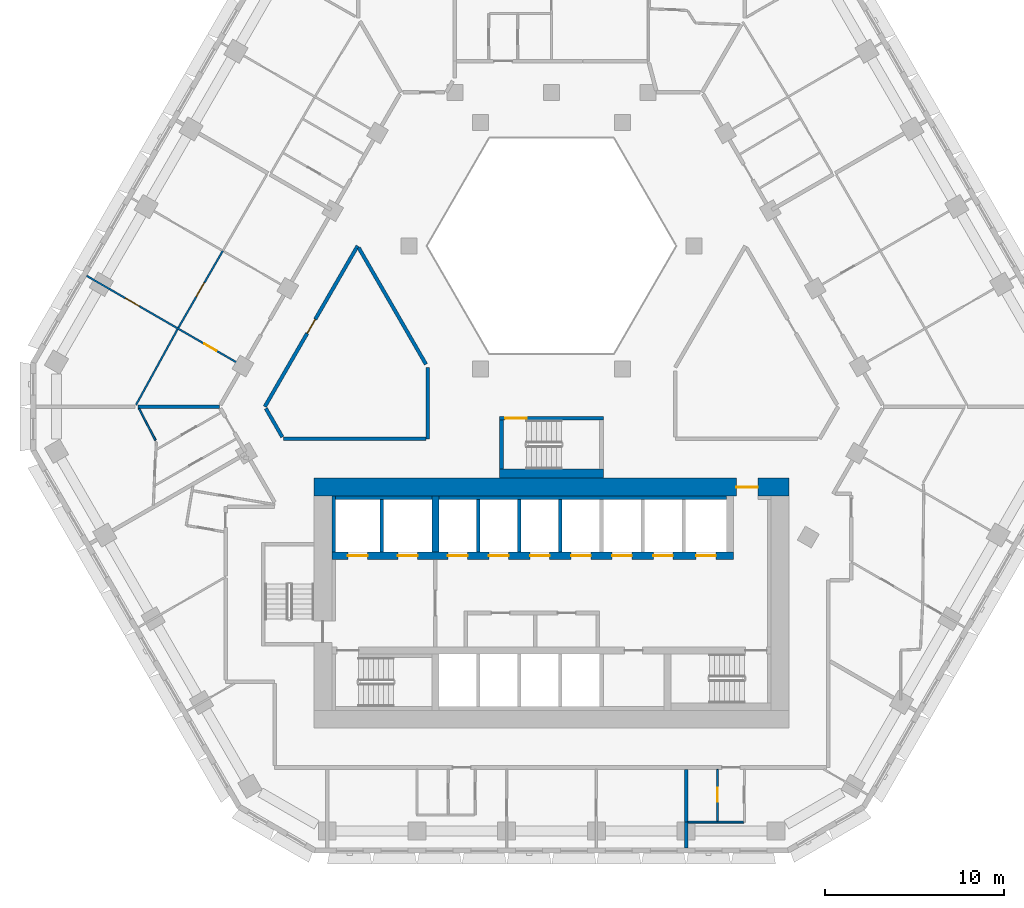
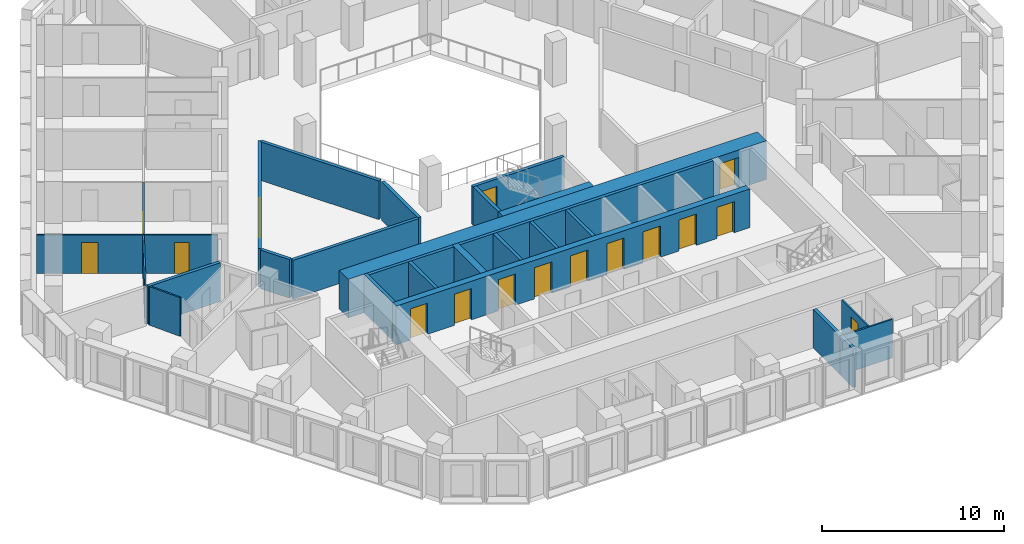
# One storey, part 5 of 18: 27 walls, 16 doors, 16 openings.
"""IFC4 building model written with IfcOpenShell, lengths in metres."""

from ifc_helpers import new_model, si_unit, direction, frame, frame_2d, origin, place, context, subcontext, project, spatial, rectangle, extrude, material, layer, layer_set, type_object, element, fill, save


model = new_model("IFC4")

# Units and contexts
model_context = context("Model", 3, precision=1e-05, world=origin(), true_north=direction((0.0, 1.0)))
body_context = subcontext(model_context, "Body", "Model", "MODEL_VIEW")
ifc_project = project(units=[si_unit("LENGTHUNIT", "METRE"), si_unit("AREAUNIT", "SQUARE_METRE"), si_unit("VOLUMEUNIT", "CUBIC_METRE"), si_unit("PLANEANGLEUNIT", "RADIAN"), si_unit("MASSUNIT", "GRAM", prefix="KILO")], contexts=[model_context])

# Site, building, storey
site_placement = place(None, origin())
site = spatial("IfcSite", under=ifc_project, at=site_placement, CompositionType="ELEMENT")
building_placement = place(site_placement, origin())
building = spatial("IfcBuilding", under=site, at=building_placement, Name="Beryl Residences", CompositionType="ELEMENT")
storey_placement = place(building_placement, frame((0.0, 0.0, 105.0)))
storey = spatial("IfcBuildingStorey", under=building, at=storey_placement, Name="L32", CompositionType="ELEMENT", Elevation=105.0)

# Wall
ifc_material_1 = material(Name="Gypsum board partition on steel studs", Category="steel")
ifc_layer_1 = layer(ifc_material_1, 0.10009765625)
ifc_layer_set_1 = layer_set([ifc_layer_1], Name="PT1 partition 100 mm gypsum board on steel studs")
wall_type_1 = type_object("IfcWallType", Name="PT1 partition 100 mm gypsum board on steel studs", PredefinedType="PARTITIONING", material=ifc_layer_set_1)
wall_1_placement = place(storey_placement, frame((-23.093017578125, -1.10107421875, 0.0), z_axis=(0.0, 0.0, 1.0), x_axis=(0.459171814268, -0.888347479865, 0.0)))
element("IfcWall", 1, at=wall_1_placement, inside=storey, type_object=wall_type_1, Name="Wall PT1 L32 006", PredefinedType="PARTITIONING", context=body_context, shape_type="SweptSolid", body=[
    extrude(rectangle(XDim=2.01025390625, YDim=0.10009765625, at=frame_2d((1.005126953125, 0.0))), origin(), (0.0, 0.0, 1.0), 2.60009765625),
])

# Wall, openings, doors
wall_2_placement = place(storey_placement, frame((-26.02490234375, 6.324951171875, 0.0), z_axis=(0.0, 0.0, 1.0), x_axis=(0.866041268327, -0.499972520799, 0.0)))
wall_2 = element("IfcWall", 2, at=wall_2_placement, inside=storey, type_object=wall_type_1, Name="Wall PT1 L32 018", PredefinedType="PARTITIONING", context=body_context, shape_type="SweptSolid", body=[
    extrude(rectangle(XDim=10.00048828125, YDim=0.10009765625, at=frame_2d((5.000244140625, 0.0))), origin(), (0.0, 0.0, 1.0), 2.60009765625),
])
opening_1_placement = place(wall_2_placement, frame((7.60107421875, 0.0, 0.0)))
opening_1 = element("IfcOpeningElement", 3, at=opening_1_placement, cuts=wall_2, Name="Opening D0751", PredefinedType="OPENING", context=body_context, shape_type="SweptSolid", body=[
    extrude(rectangle(XDim=0.800048828125, YDim=2.10009765625, at=frame_2d((0.39990234375, 1.050048828125))), frame((0.0, 0.06005859375, 0.0), z_axis=(0.0, -1.0, 0.0), x_axis=(1.0, 0.0, 0.0)), (0.0, 0.0, 1.0), 0.1201171875),
])
opening_2_placement = place(wall_2_placement, frame((2.5, 0.0, 0.0)))
opening_2 = element("IfcOpeningElement", 4, at=opening_2_placement, cuts=wall_2, Name="Opening D0753", PredefinedType="OPENING", context=body_context, shape_type="SweptSolid", body=[
    extrude(rectangle(XDim=0.89990234375, YDim=2.10009765625, at=frame_2d((0.449951171875, 1.050048828125))), frame((0.0, 0.06005859375, 0.0), z_axis=(0.0, -1.0, 0.0), x_axis=(1.0, 0.0, 0.0)), (0.0, 0.0, 1.0), 0.1201171875),
])
ifc_material_2 = material(Name="Timber door leaf", Category="wood")
door_type_1 = type_object("IfcDoorType", Name="D2 room door 900 x 2100 mm", OperationType="SINGLE_SWING_LEFT", PredefinedType="DOOR", material=ifc_material_2)
door_1_placement = place(opening_2_placement, origin())
door_1 = element("IfcDoor", 5, at=door_1_placement, inside=storey, type_object=door_type_1, Name="Door D0753 L32 001", OperationType="SINGLE_SWING_LEFT", OverallHeight=2.10009765625, OverallWidth=0.89990234375, PredefinedType="DOOR", context=body_context, shape_type="SweptSolid", body=[
    extrude(rectangle(XDim=0.89990234375, YDim=2.10009765625, at=frame_2d((0.449951171875, 1.050048828125))), frame((0.0, 0.02490234375, 0.0), z_axis=(0.0, -1.0, 0.0), x_axis=(1.0, 0.0, 0.0)), (0.0, 0.0, 1.0), 0.050048828125),
])
fill(opening_2, door_1)
ifc_material_3 = material(Name="Timber door leaf", Category="wood")
door_type_2 = type_object("IfcDoorType", Name="D3 bathroom door 800 x 2100 mm", OperationType="SINGLE_SWING_LEFT", PredefinedType="DOOR", material=ifc_material_3)
door_2_placement = place(opening_1_placement, origin())
door_2 = element("IfcDoor", 6, at=door_2_placement, inside=storey, type_object=door_type_2, Name="Door D0751 L32 001", OperationType="SINGLE_SWING_LEFT", OverallHeight=2.10009765625, OverallWidth=0.800048828125, PredefinedType="DOOR", context=body_context, shape_type="SweptSolid", body=[
    extrude(rectangle(XDim=0.800048828125, YDim=2.10009765625, at=frame_2d((0.39990234375, 1.050048828125))), frame((0.0, 0.02490234375, 0.0), z_axis=(0.0, -1.0, 0.0), x_axis=(1.0, 0.0, 0.0)), (0.0, 0.0, 1.0), 0.050048828125),
])
fill(opening_1, door_2)

# Wall
wall_3_placement = place(storey_placement, frame((7.635009765625, -24.260009765625, 0.0), z_axis=(0.0, 0.0, 1.0), x_axis=(1.0, 0.0, 0.0)))
element("IfcWall", 7, at=wall_3_placement, inside=storey, type_object=wall_type_1, Name="Wall PT1 L32 028", PredefinedType="PARTITIONING", context=body_context, shape_type="SweptSolid", body=[
    extrude(rectangle(XDim=3.114013671875, YDim=0.10009765625, at=frame_2d((1.55712890625, 0.0))), origin(), (0.0, 0.0, 1.0), 2.60009765625),
])

# Wall, opening, door
wall_4_placement = place(storey_placement, frame((-20.889892578125, 3.41796875, 0.0), z_axis=(0.0, 0.0, 1.0), x_axis=(0.500014231302, 0.866017187182, 0.0)))
wall_4 = element("IfcWall", 8, at=wall_4_placement, inside=storey, type_object=wall_type_1, Name="Wall PT1 L32 032", PredefinedType="PARTITIONING", context=body_context, shape_type="SweptSolid", body=[
    extrude(rectangle(XDim=4.973388671875, YDim=0.10009765625, at=frame_2d((2.48681640625, 0.0))), origin(), (0.0, 0.0, 1.0), 2.60009765625),
])
opening_3_placement = place(wall_4_placement, frame((2.010986328125, 0.0, 0.0)))
opening_3 = element("IfcOpeningElement", 9, at=opening_3_placement, cuts=wall_4, Name="Opening D0750", PredefinedType="OPENING", context=body_context, shape_type="SweptSolid", body=[
    extrude(rectangle(XDim=0.89990234375, YDim=2.10009765625, at=frame_2d((0.449951171875, 1.050048828125))), frame((0.0, 0.06005859375, 0.0), z_axis=(0.0, -1.0, 0.0), x_axis=(1.0, 0.0, 0.0)), (0.0, 0.0, 1.0), 0.1201171875),
])
door_3_placement = place(opening_3_placement, origin())
door_3 = element("IfcDoor", 10, at=door_3_placement, inside=storey, type_object=door_type_1, Name="Door D0750 L32 001", OperationType="SINGLE_SWING_RIGHT", OverallHeight=2.10009765625, OverallWidth=0.89990234375, PredefinedType="DOOR", context=body_context, shape_type="SweptSolid", body=[
    extrude(rectangle(XDim=0.89990234375, YDim=2.10009765625, at=frame_2d((0.449951171875, 1.050048828125))), frame((0.0, 0.02490234375, 0.0), z_axis=(0.0, -1.0, 0.0), x_axis=(1.0, 0.0, 0.0)), (0.0, 0.0, 1.0), 0.050048828125),
])
fill(opening_3, door_3)

# Wall
wall_5_placement = place(storey_placement, frame((-23.260986328125, -0.90087890625, 0.0), z_axis=(0.0, 0.0, 1.0), x_axis=(0.481037050261, 0.876700265927, 0.0)))
element("IfcWall", 11, at=wall_5_placement, inside=storey, type_object=wall_type_1, Name="Wall PT1 L32 034", PredefinedType="PARTITIONING", context=body_context, shape_type="SweptSolid", body=[
    extrude(rectangle(XDim=4.8271484375, YDim=0.10009765625, at=frame_2d((2.41357421875, 0.0))), origin(), (0.0, 0.0, 1.0), 2.60009765625),
])

# Wall, opening, door
wall_6_placement = place(storey_placement, frame((9.29296875, -24.2099609375, 0.0), z_axis=(0.0, 0.0, 1.0), x_axis=(0.0, 1.0, 0.0)))
wall_6 = element("IfcWall", 12, at=wall_6_placement, inside=storey, type_object=wall_type_1, Name="Wall PT1 L32 041", PredefinedType="PARTITIONING", context=body_context, shape_type="SweptSolid", body=[
    extrude(rectangle(XDim=2.909912109375, YDim=0.10009765625, at=frame_2d((1.455078125, 0.0))), origin(), (0.0, 0.0, 1.0), 2.60009765625),
])
opening_4_placement = place(wall_6_placement, frame((1.080078125, 0.0, 0.0)))
opening_4 = element("IfcOpeningElement", 13, at=opening_4_placement, cuts=wall_6, Name="Opening D0713", PredefinedType="OPENING", context=body_context, shape_type="SweptSolid", body=[
    extrude(rectangle(XDim=0.800048828125, YDim=2.10009765625, at=frame_2d((0.39990234375, 1.050048828125))), frame((0.0, 0.06005859375, 0.0), z_axis=(0.0, -1.0, 0.0), x_axis=(1.0, 0.0, 0.0)), (0.0, 0.0, 1.0), 0.1201171875),
])
door_4_placement = place(opening_4_placement, origin())
door_4 = element("IfcDoor", 14, at=door_4_placement, inside=storey, type_object=door_type_2, Name="Door D0713 L32 001", OperationType="SINGLE_SWING_LEFT", OverallHeight=2.10009765625, OverallWidth=0.800048828125, PredefinedType="DOOR", context=body_context, shape_type="SweptSolid", body=[
    extrude(rectangle(XDim=0.800048828125, YDim=2.10009765625, at=frame_2d((0.39990234375, 1.050048828125))), frame((0.0, 0.02490234375, 0.0), z_axis=(0.0, -1.0, 0.0), x_axis=(1.0, 0.0, 0.0)), (0.0, 0.0, 1.0), 0.050048828125),
])
fill(opening_4, door_4)

# Walls
ifc_material_4 = material(Name="Acoustic double stud gypsum board wall")
ifc_layer_2 = layer(ifc_material_4, 0.199951171875)
ifc_layer_set_2 = layer_set([ifc_layer_2], Name="PT3 party wall 200 mm acoustic double stud")
wall_type_2 = type_object("IfcWallType", Name="PT3 party wall 200 mm acoustic double stud", PredefinedType="PARTITIONING", material=ifc_layer_set_2)
wall_7_placement = place(storey_placement, frame((7.534912109375, -21.300048828125, 0.0), z_axis=(0.0, 0.0, 1.0), x_axis=(0.0, -1.0, 0.0)))
element("IfcWall", 15, at=wall_7_placement, inside=storey, type_object=wall_type_2, Name="Wall PT3 L32 003", PredefinedType="PARTITIONING", context=body_context, shape_type="SweptSolid", body=[
    extrude(rectangle(XDim=2.97998046875, YDim=0.199951171875, at=frame_2d((1.489990234375, 0.0))), origin(), (0.0, 0.0, 1.0), 2.60009765625),
])
wall_8_placement = place(storey_placement, frame((-23.1640625, -1.0009765625, 0.0), z_axis=(0.0, 0.0, 1.0), x_axis=(1.0, 0.0, 0.0)))
element("IfcWall", 16, at=wall_8_placement, inside=storey, type_object=wall_type_2, Name="Wall PT3 L32 009", PredefinedType="PARTITIONING", context=body_context, shape_type="SweptSolid", body=[
    extrude(rectangle(XDim=4.572998046875, YDim=0.199951171875, at=frame_2d((2.28662109375, 0.0))), origin(), (0.0, 0.0, 1.0), 2.60009765625),
])
wall_9_placement = place(storey_placement, frame((7.534912109375, -25.699951171875, 0.0), z_axis=(0.0, 0.0, 1.0), x_axis=(0.0, 1.0, 0.0)))
element("IfcWall", 17, at=wall_9_placement, inside=storey, type_object=wall_type_2, Name="Wall PT3 L32 013", PredefinedType="PARTITIONING", context=body_context, shape_type="SweptSolid", body=[
    extrude(rectangle(XDim=1.4599609375, YDim=0.199951171875, at=frame_2d((0.72998046875, 0.0))), origin(), (0.0, 0.0, 1.0), 2.60009765625),
])
ifc_material_5 = material(Name="Double stud gypsum board wall")
ifc_layer_3 = layer(ifc_material_5, 0.199951171875)
ifc_layer_set_3 = layer_set([ifc_layer_3], Name="PT4 corridor wall 200 mm double stud")
wall_type_3 = type_object("IfcWallType", Name="PT4 corridor wall 200 mm double stud", PredefinedType="PARTITIONING", material=ifc_layer_set_3)
wall_10_placement = place(storey_placement, frame((-10.7958984375, 7.89892578125, 0.0), z_axis=(0.0, 0.0, 1.0), x_axis=(0.500010383074, -0.866019409031, 0.0)))
element("IfcWall", 18, at=wall_10_placement, inside=storey, type_object=wall_type_3, Name="Wall PT4 L32 001", PredefinedType="PARTITIONING", context=body_context, shape_type="SweptSolid", body=[
    extrude(rectangle(XDim=7.535400390625, YDim=0.199951171875, at=frame_2d((3.767578125, 0.0))), origin(), (0.0, 0.0, 1.0), 2.60009765625),
])
wall_11_placement = place(storey_placement, frame((-15.992919921875, -1.10107421875, 0.0), z_axis=(0.0, 0.0, 1.0), x_axis=(0.499894174133, -0.866086493757, 0.0)))
element("IfcWall", 19, at=wall_11_placement, inside=storey, type_object=wall_type_3, Name="Wall PT4 L32 002", PredefinedType="PARTITIONING", context=body_context, shape_type="SweptSolid", body=[
    extrude(rectangle(XDim=1.84619140625, YDim=0.199951171875, at=frame_2d((0.923095703125, 0.0))), origin(), (0.0, 0.0, 1.0), 2.60009765625),
])
wall_12_placement = place(storey_placement, frame((-15.010986328125, -2.800048828125, 0.0), z_axis=(0.0, 0.0, 1.0), x_axis=(1.0, 0.0, 0.0)))
element("IfcWall", 20, at=wall_12_placement, inside=storey, type_object=wall_type_3, Name="Wall PT4 L32 017", PredefinedType="PARTITIONING", context=body_context, shape_type="SweptSolid", body=[
    extrude(rectangle(XDim=7.98193359375, YDim=0.199951171875, at=frame_2d((3.990966796875, 0.0))), origin(), (0.0, 0.0, 1.0), 2.60009765625),
])

# Wall, opening, door
wall_13_placement = place(storey_placement, frame((-16.050048828125, -1.0, 0.0), z_axis=(0.0, 0.0, 1.0), x_axis=(0.499962449088, 0.866047082728, 0.0)))
wall_13 = element("IfcWall", 21, at=wall_13_placement, inside=storey, type_object=wall_type_3, Name="Wall PT4 L32 026", PredefinedType="PARTITIONING", context=body_context, shape_type="SweptSolid", body=[
    extrude(rectangle(XDim=10.390869140625, YDim=0.199951171875, at=frame_2d((5.1953125, 0.0))), origin(), (0.0, 0.0, 1.0), 2.60009765625),
])
opening_5_placement = place(wall_13_placement, frame((4.7451171875, 0.0, 0.0)))
opening_5 = element("IfcOpeningElement", 22, at=opening_5_placement, cuts=wall_13, Name="Opening D0759", PredefinedType="OPENING", context=body_context, shape_type="SweptSolid", body=[
    extrude(rectangle(XDim=0.89990234375, YDim=2.10009765625, at=frame_2d((0.449951171875, 1.050048828125))), frame((0.0, 0.10986328125, 0.0), z_axis=(0.0, -1.0, 0.0), x_axis=(1.0, 0.0, 0.0)), (0.0, 0.0, 1.0), 0.219970703125),
])
door_5_placement = place(opening_5_placement, origin())
door_5 = element("IfcDoor", 23, at=door_5_placement, inside=storey, type_object=door_type_1, Name="Door D0759 L32 001", OperationType="SINGLE_SWING_LEFT", OverallHeight=2.10009765625, OverallWidth=0.89990234375, PredefinedType="DOOR", context=body_context, shape_type="SweptSolid", body=[
    extrude(rectangle(XDim=0.89990234375, YDim=2.10009765625, at=frame_2d((0.449951171875, 1.050048828125))), frame((0.0, 0.02490234375, 0.0), z_axis=(0.0, -1.0, 0.0), x_axis=(1.0, 0.0, 0.0)), (0.0, 0.0, 1.0), 0.050048828125),
])
fill(opening_5, door_5)

# Wall
wall_14_placement = place(storey_placement, frame((-6.927978515625, -2.799072265625, 0.0), z_axis=(0.0, 0.0, 1.0), x_axis=(0.0, 1.0, 0.0)))
element("IfcWall", 24, at=wall_14_placement, inside=storey, type_object=wall_type_3, Name="Wall PT4 L32 032", PredefinedType="PARTITIONING", context=body_context, shape_type="SweptSolid", body=[
    extrude(rectangle(XDim=3.9990234375, YDim=0.199951171875, at=frame_2d((1.99951171875, 0.0))), origin(), (0.0, 0.0, 1.0), 2.60009765625),
])

# Wall, opening, door
ifc_material_6 = material(Name="Concrete C40/50", Category="concrete")
ifc_layer_4 = layer(ifc_material_6, 0.199951171875)
ifc_layer_set_4 = layer_set([ifc_layer_4], Name="PT5 stair enclosure wall 200 mm reinforced concrete C40/50")
wall_type_4 = type_object("IfcWallType", Name="PT5 stair enclosure wall 200 mm reinforced concrete C40/50", PredefinedType="SOLIDWALL", material=ifc_layer_set_4)
wall_15_placement = place(storey_placement, frame((-2.89990234375, -1.64990234375, 0.0), z_axis=(0.0, 0.0, 1.0), x_axis=(1.0, 0.0, 0.0)))
wall_15 = element("IfcWall", 25, at=wall_15_placement, inside=storey, type_object=wall_type_4, Name="Wall PT5 L32 001", PredefinedType="SOLIDWALL", context=body_context, shape_type="SweptSolid", body=[
    extrude(rectangle(XDim=5.7998046875, YDim=0.199951171875, at=frame_2d((2.89990234375, 0.0))), origin(), (0.0, 0.0, 1.0), 2.60009765625),
])
opening_6_placement = place(wall_15_placement, frame((0.300048828125, 0.0, 0.0)))
opening_6 = element("IfcOpeningElement", 26, at=opening_6_placement, cuts=wall_15, Name="Opening DS04", PredefinedType="OPENING", context=body_context, shape_type="SweptSolid", body=[
    extrude(rectangle(XDim=1.199951171875, YDim=2.10009765625, at=frame_2d((0.60009765625, 1.050048828125))), frame((0.0, 0.10986328125, 0.0), z_axis=(0.0, -1.0, 0.0), x_axis=(1.0, 0.0, 0.0)), (0.0, 0.0, 1.0), 0.219970703125),
])
ifc_material_7 = material(Name="Steel door leaf in steel frame", Category="steel")
door_type_3 = type_object("IfcDoorType", Name="D4 stair door 1200 x 2100 mm", OperationType="SINGLE_SWING_LEFT", PredefinedType="DOOR", material=ifc_material_7)
door_6_placement = place(opening_6_placement, origin())
door_6 = element("IfcDoor", 27, at=door_6_placement, inside=storey, type_object=door_type_3, Name="Door DS04 L32 001", OperationType="SINGLE_SWING_LEFT", OverallHeight=2.10009765625, OverallWidth=1.199951171875, PredefinedType="DOOR", context=body_context, shape_type="SweptSolid", body=[
    extrude(rectangle(XDim=1.199951171875, YDim=2.10009765625, at=frame_2d((0.60009765625, 1.050048828125))), frame((0.0, 0.02490234375, 0.0), z_axis=(0.0, -1.0, 0.0), x_axis=(1.0, 0.0, 0.0)), (0.0, 0.0, 1.0), 0.050048828125),
])
fill(opening_6, door_6)

# Walls
wall_16_placement = place(storey_placement, frame((-2.800048828125, -4.5, 0.0), z_axis=(0.0, 0.0, 1.0), x_axis=(0.0, 1.0, 0.0)))
element("IfcWall", 28, at=wall_16_placement, inside=storey, type_object=wall_type_4, Name="Wall PT5 L32 002", PredefinedType="SOLIDWALL", context=body_context, shape_type="SweptSolid", body=[
    extrude(rectangle(XDim=2.75, YDim=0.199951171875, at=frame_2d((1.375, 0.0))), origin(), (0.0, 0.0, 1.0), 2.60009765625),
])
ifc_material_8 = material(Name="Concrete C40/50", Category="concrete")
ifc_layer_5 = layer(ifc_material_8, 0.5)
ifc_layer_set_5 = layer_set([ifc_layer_5], Name="PT5-500 stair enclosure wall 500 mm")
wall_type_5 = type_object("IfcWallType", Name="PT5-500 stair enclosure wall 500 mm", PredefinedType="SOLIDWALL", material=ifc_layer_set_5)
wall_17_placement = place(storey_placement, frame((-2.89990234375, -4.75, 0.0), z_axis=(0.0, 0.0, 1.0), x_axis=(1.0, 0.0, 0.0)))
element("IfcWall", 29, at=wall_17_placement, inside=storey, type_object=wall_type_5, Name="Wall PT5-500 L32 001", PredefinedType="SOLIDWALL", context=body_context, shape_type="SweptSolid", body=[
    extrude(rectangle(XDim=5.7998046875, YDim=0.5, at=frame_2d((2.89990234375, 0.0))), origin(), (0.0, 0.0, 1.0), 2.60009765625),
])
ifc_material_9 = material(Name="Concrete C40/50", Category="concrete")
ifc_layer_6 = layer(ifc_material_9, 0.199951171875)
ifc_layer_set_6 = layer_set([ifc_layer_6], Name="PT6 lift shaft wall 200 mm reinforced concrete C40/50")
wall_type_6 = type_object("IfcWallType", Name="PT6 lift shaft wall 200 mm reinforced concrete C40/50", PredefinedType="SOLIDWALL", material=ifc_layer_set_6)
wall_18_placement = place(storey_placement, frame((-12.199951171875, -9.14990234375, 0.0), z_axis=(0.0, 0.0, 1.0), x_axis=(0.0, 1.0, 0.0)))
element("IfcWall", 30, at=wall_18_placement, inside=storey, type_object=wall_type_6, Name="Lift shaft wall 06", PredefinedType="SOLIDWALL", context=body_context, shape_type="SweptSolid", body=[
    extrude(rectangle(XDim=3.14990234375, YDim=0.199951171875, at=frame_2d((1.574951171875, 0.0))), origin(), (0.0, 0.0, 1.0), 2.60009765625),
])
wall_19_placement = place(storey_placement, frame((-12.10009765625, -6.10009765625, 0.0), z_axis=(0.0, 0.0, 1.0), x_axis=(1.0, 0.0, 0.0)))
element("IfcWall", 31, at=wall_19_placement, inside=storey, type_object=wall_type_6, Name="Lift shaft wall 08", PredefinedType="SOLIDWALL", context=body_context, shape_type="SweptSolid", body=[
    extrude(rectangle(XDim=5.400146484375, YDim=0.199951171875, at=frame_2d((2.7001953125, 0.0))), origin(), (0.0, 0.0, 1.0), 2.60009765625),
])
wall_20_placement = place(storey_placement, frame((-9.5, -9.14990234375, 0.0), z_axis=(0.0, 0.0, 1.0), x_axis=(0.0, 1.0, 0.0)))
element("IfcWall", 32, at=wall_20_placement, inside=storey, type_object=wall_type_6, Name="Lift shaft wall 10", PredefinedType="SOLIDWALL", context=body_context, shape_type="SweptSolid", body=[
    extrude(rectangle(XDim=2.949951171875, YDim=0.199951171875, at=frame_2d((1.47509765625, 0.0))), origin(), (0.0, 0.0, 1.0), 2.60009765625),
])
wall_21_placement = place(storey_placement, frame((-6.300048828125, -6.10009765625, 0.0), z_axis=(0.0, 0.0, 1.0), x_axis=(1.0, 0.0, 0.0)))
element("IfcWall", 33, at=wall_21_placement, inside=storey, type_object=wall_type_6, Name="Lift shaft wall 13", PredefinedType="SOLIDWALL", context=body_context, shape_type="SweptSolid", body=[
    extrude(rectangle(XDim=16.10009765625, YDim=0.199951171875, at=frame_2d((8.050048828125, 0.0))), origin(), (0.0, 0.0, 1.0), 2.60009765625),
])
for number, where, z_axis, x_axis, name in (
    (34, (-4.10009765625, -9.14990234375, 0.0), (0.0, 0.0, 1.0), (0.0, 1.0, 0.0), "Lift shaft wall 17"),
    (35, (-1.800048828125, -9.14990234375, 0.0), (0.0, 0.0, 1.0), (0.0, 1.0, 0.0), "Lift shaft wall 19"),
    (36, (0.5, -9.14990234375, 0.0), (0.0, 0.0, 1.0), (0.0, 1.0, 0.0), "Lift shaft wall 22"),
):
    element("IfcWall", number, at=place(storey_placement, frame(where, z_axis=z_axis, x_axis=x_axis)), inside=storey, type_object=wall_type_6, Name=name, PredefinedType="SOLIDWALL", context=body_context, shape_type="SweptSolid", body=[
        extrude(rectangle(XDim=2.949951171875, YDim=0.199951171875, at=frame_2d((1.47509765625, 0.0))), origin(), (0.0, 0.0, 1.0), 2.60009765625),
    ])

# Wall, opening, door
ifc_material_10 = material(Name="Concrete C70/85", Category="concrete")
ifc_layer_7 = layer(ifc_material_10, 1.0)
ifc_layer_set_7 = layer_set([ifc_layer_7], Name="SW2 core outer wall 1000 mm C70/85")
wall_type_7 = type_object("IfcWallType", Name="SW2 core outer wall 1000 mm C70/85", PredefinedType="SHEAR", material=ifc_layer_set_7)
wall_22_placement = place(storey_placement, frame((-13.300048828125, -5.5, 0.0), z_axis=(0.0, 0.0, 1.0), x_axis=(1.0, 0.0, 0.0)))
wall_22 = element("IfcWall", 37, at=wall_22_placement, inside=storey, type_object=wall_type_7, Name="Core wall N L32", PredefinedType="SHEAR", context=body_context, shape_type="SweptSolid", body=[
    extrude(rectangle(XDim=26.60009765625, YDim=1.0, at=frame_2d((13.300048828125, 0.0))), origin(), (0.0, 0.0, 1.0), 2.60009765625),
])
opening_7_placement = place(wall_22_placement, frame((23.64990234375, 0.0, 0.0)))
opening_7 = element("IfcOpeningElement", 38, at=opening_7_placement, cuts=wall_22, Name="Opening FD-NORTH", PredefinedType="OPENING", context=body_context, shape_type="SweptSolid", body=[
    extrude(rectangle(XDim=1.199951171875, YDim=2.10009765625, at=frame_2d((0.60009765625, 1.050048828125))), frame((0.0, 0.510009765625, 0.0), z_axis=(0.0, -1.0, 0.0), x_axis=(1.0, 0.0, 0.0)), (0.0, 0.0, 1.0), 1.02001953125),
])
ifc_material_11 = material(Name="Steel door leaf in steel frame", Category="steel")
door_type_4 = type_object("IfcDoorType", Name="D22 lobby door 1200 x 2100 mm", OperationType="DOUBLE_DOOR_SINGLE_SWING", PredefinedType="DOOR", material=ifc_material_11)
door_7_placement = place(opening_7_placement, origin())
door_7 = element("IfcDoor", 39, at=door_7_placement, inside=storey, type_object=door_type_4, Name="Door FD-NORTH L32 001", OperationType="DOUBLE_DOOR_SINGLE_SWING", OverallHeight=2.10009765625, OverallWidth=1.199951171875, PredefinedType="DOOR", context=body_context, shape_type="SweptSolid", body=[
    extrude(rectangle(XDim=1.199951171875, YDim=2.10009765625, at=frame_2d((0.60009765625, 1.050048828125))), frame((0.0, 0.02490234375, 0.0), z_axis=(0.0, -1.0, 0.0), x_axis=(1.0, 0.0, 0.0)), (0.0, 0.0, 1.0), 0.050048828125),
])
fill(opening_7, door_7)

# Wall, openings, doors
ifc_material_12 = material(Name="Concrete C70/85", Category="concrete")
ifc_layer_8 = layer(ifc_material_12, 0.39990234375)
ifc_layer_set_8 = layer_set([ifc_layer_8], Name="SW7 core internal wall 400 mm C70/85")
wall_type_8 = type_object("IfcWallType", Name="SW7 core internal wall 400 mm C70/85", PredefinedType="SHEAR", material=ifc_layer_set_8)
wall_23_placement = place(storey_placement, frame((-12.300048828125, -9.35009765625, 0.0), z_axis=(0.0, 0.0, 1.0), x_axis=(1.0, 0.0, 0.0)))
wall_23 = element("IfcWall", 40, at=wall_23_placement, inside=storey, type_object=wall_type_8, Name="Core wall SP2 L32", PredefinedType="SHEAR", context=body_context, shape_type="SweptSolid", body=[
    extrude(rectangle(XDim=22.5, YDim=0.39990234375, at=frame_2d((11.25, 0.0))), origin(), (0.0, 0.0, 1.0), 2.60009765625),
])
opening_8_placement = place(wall_23_placement, frame((0.89990234375, 0.0, 0.0)))
opening_8 = element("IfcOpeningElement", 41, at=opening_8_placement, cuts=wall_23, Name="Opening LD-FF1", PredefinedType="OPENING", context=body_context, shape_type="SweptSolid", body=[
    extrude(rectangle(XDim=1.10009765625, YDim=2.10009765625, at=frame_2d((0.550048828125, 1.050048828125))), frame((0.0, 0.2099609375, 0.0), z_axis=(0.0, -1.0, 0.0), x_axis=(1.0, 0.0, 0.0)), (0.0, 0.0, 1.0), 0.419921875),
])
opening_9_placement = place(wall_23_placement, frame((3.699951171875, 0.0, 0.0)))
opening_9 = element("IfcOpeningElement", 42, at=opening_9_placement, cuts=wall_23, Name="Opening LD-FF2", PredefinedType="OPENING", context=body_context, shape_type="SweptSolid", body=[
    extrude(rectangle(XDim=1.10009765625, YDim=2.10009765625, at=frame_2d((0.550048828125, 1.050048828125))), frame((0.0, 0.2099609375, 0.0), z_axis=(0.0, -1.0, 0.0), x_axis=(1.0, 0.0, 0.0)), (0.0, 0.0, 1.0), 0.419921875),
])
opening_10_placement = place(wall_23_placement, frame((6.5, 0.0, 0.0)))
opening_10 = element("IfcOpeningElement", 43, at=opening_10_placement, cuts=wall_23, Name="Opening LD-LR1", PredefinedType="OPENING", context=body_context, shape_type="SweptSolid", body=[
    extrude(rectangle(XDim=1.10009765625, YDim=2.10009765625, at=frame_2d((0.550048828125, 1.050048828125))), frame((0.0, 0.2099609375, 0.0), z_axis=(0.0, -1.0, 0.0), x_axis=(1.0, 0.0, 0.0)), (0.0, 0.0, 1.0), 0.419921875),
])
opening_11_placement = place(wall_23_placement, frame((8.800048828125, 0.0, 0.0)))
opening_11 = element("IfcOpeningElement", 44, at=opening_11_placement, cuts=wall_23, Name="Opening LD-LR2", PredefinedType="OPENING", context=body_context, shape_type="SweptSolid", body=[
    extrude(rectangle(XDim=1.10009765625, YDim=2.10009765625, at=frame_2d((0.550048828125, 1.050048828125))), frame((0.0, 0.2099609375, 0.0), z_axis=(0.0, -1.0, 0.0), x_axis=(1.0, 0.0, 0.0)), (0.0, 0.0, 1.0), 0.419921875),
])
opening_12_placement = place(wall_23_placement, frame((11.10009765625, 0.0, 0.0)))
opening_12 = element("IfcOpeningElement", 45, at=opening_12_placement, cuts=wall_23, Name="Opening LD-LR3", PredefinedType="OPENING", context=body_context, shape_type="SweptSolid", body=[
    extrude(rectangle(XDim=1.10009765625, YDim=2.10009765625, at=frame_2d((0.550048828125, 1.050048828125))), frame((0.0, 0.2099609375, 0.0), z_axis=(0.0, -1.0, 0.0), x_axis=(1.0, 0.0, 0.0)), (0.0, 0.0, 1.0), 0.419921875),
])
opening_13_placement = place(wall_23_placement, frame((13.39990234375, 0.0, 0.0)))
opening_13 = element("IfcOpeningElement", 46, at=opening_13_placement, cuts=wall_23, Name="Opening LD-LR4", PredefinedType="OPENING", context=body_context, shape_type="SweptSolid", body=[
    extrude(rectangle(XDim=1.10009765625, YDim=2.10009765625, at=frame_2d((0.550048828125, 1.050048828125))), frame((0.0, 0.2099609375, 0.0), z_axis=(0.0, -1.0, 0.0), x_axis=(1.0, 0.0, 0.0)), (0.0, 0.0, 1.0), 0.419921875),
])
opening_14_placement = place(wall_23_placement, frame((15.699951171875, 0.0, 0.0)))
opening_14 = element("IfcOpeningElement", 47, at=opening_14_placement, cuts=wall_23, Name="Opening LD-LR5", PredefinedType="OPENING", context=body_context, shape_type="SweptSolid", body=[
    extrude(rectangle(XDim=1.10009765625, YDim=2.10009765625, at=frame_2d((0.550048828125, 1.050048828125))), frame((0.0, 0.2099609375, 0.0), z_axis=(0.0, -1.0, 0.0), x_axis=(1.0, 0.0, 0.0)), (0.0, 0.0, 1.0), 0.419921875),
])
opening_15_placement = place(wall_23_placement, frame((18.0, 0.0, 0.0)))
opening_15 = element("IfcOpeningElement", 48, at=opening_15_placement, cuts=wall_23, Name="Opening LD-LR6", PredefinedType="OPENING", context=body_context, shape_type="SweptSolid", body=[
    extrude(rectangle(XDim=1.10009765625, YDim=2.10009765625, at=frame_2d((0.550048828125, 1.050048828125))), frame((0.0, 0.2099609375, 0.0), z_axis=(0.0, -1.0, 0.0), x_axis=(1.0, 0.0, 0.0)), (0.0, 0.0, 1.0), 0.419921875),
])
opening_16_placement = place(wall_23_placement, frame((20.39990234375, 0.0, 0.0)))
opening_16 = element("IfcOpeningElement", 49, at=opening_16_placement, cuts=wall_23, Name="Opening LD-SL1", PredefinedType="OPENING", context=body_context, shape_type="SweptSolid", body=[
    extrude(rectangle(XDim=1.10009765625, YDim=2.10009765625, at=frame_2d((0.550048828125, 1.050048828125))), frame((0.0, 0.2099609375, 0.0), z_axis=(0.0, -1.0, 0.0), x_axis=(1.0, 0.0, 0.0)), (0.0, 0.0, 1.0), 0.419921875),
])
ifc_material_13 = material(Name="Stainless steel sliding door", Category="steel")
door_type_5 = type_object("IfcDoorType", Name="LD1 lift landing door 1100 x 2100 mm", OperationType="DOUBLE_DOOR_SLIDING", PredefinedType="DOOR", material=ifc_material_13)
door_8_placement = place(opening_8_placement, origin())
door_8 = element("IfcDoor", 50, at=door_8_placement, inside=storey, type_object=door_type_5, Name="Lift landing door FF1", OperationType="DOUBLE_DOOR_SLIDING", OverallHeight=2.10009765625, OverallWidth=1.10009765625, PredefinedType="DOOR", context=body_context, shape_type="SweptSolid", body=[
    extrude(rectangle(XDim=1.10009765625, YDim=2.10009765625, at=frame_2d((0.550048828125, 1.050048828125))), frame((0.0, 0.02490234375, 0.0), z_axis=(0.0, -1.0, 0.0), x_axis=(1.0, 0.0, 0.0)), (0.0, 0.0, 1.0), 0.050048828125),
])
fill(opening_8, door_8)
door_9_placement = place(opening_9_placement, origin())
door_9 = element("IfcDoor", 51, at=door_9_placement, inside=storey, type_object=door_type_5, Name="Lift landing door FF2", OperationType="DOUBLE_DOOR_SLIDING", OverallHeight=2.10009765625, OverallWidth=1.10009765625, PredefinedType="DOOR", context=body_context, shape_type="SweptSolid", body=[
    extrude(rectangle(XDim=1.10009765625, YDim=2.10009765625, at=frame_2d((0.550048828125, 1.050048828125))), frame((0.0, 0.02490234375, 0.0), z_axis=(0.0, -1.0, 0.0), x_axis=(1.0, 0.0, 0.0)), (0.0, 0.0, 1.0), 0.050048828125),
])
fill(opening_9, door_9)
door_10_placement = place(opening_10_placement, origin())
door_10 = element("IfcDoor", 52, at=door_10_placement, inside=storey, type_object=door_type_5, Name="Lift landing door LR1", OperationType="DOUBLE_DOOR_SLIDING", OverallHeight=2.10009765625, OverallWidth=1.10009765625, PredefinedType="DOOR", context=body_context, shape_type="SweptSolid", body=[
    extrude(rectangle(XDim=1.10009765625, YDim=2.10009765625, at=frame_2d((0.550048828125, 1.050048828125))), frame((0.0, 0.02490234375, 0.0), z_axis=(0.0, -1.0, 0.0), x_axis=(1.0, 0.0, 0.0)), (0.0, 0.0, 1.0), 0.050048828125),
])
fill(opening_10, door_10)
door_11_placement = place(opening_11_placement, origin())
door_11 = element("IfcDoor", 53, at=door_11_placement, inside=storey, type_object=door_type_5, Name="Lift landing door LR2", OperationType="DOUBLE_DOOR_SLIDING", OverallHeight=2.10009765625, OverallWidth=1.10009765625, PredefinedType="DOOR", context=body_context, shape_type="SweptSolid", body=[
    extrude(rectangle(XDim=1.10009765625, YDim=2.10009765625, at=frame_2d((0.550048828125, 1.050048828125))), frame((0.0, 0.02490234375, 0.0), z_axis=(0.0, -1.0, 0.0), x_axis=(1.0, 0.0, 0.0)), (0.0, 0.0, 1.0), 0.050048828125),
])
fill(opening_11, door_11)
door_12_placement = place(opening_12_placement, origin())
door_12 = element("IfcDoor", 54, at=door_12_placement, inside=storey, type_object=door_type_5, Name="Lift landing door LR3", OperationType="DOUBLE_DOOR_SLIDING", OverallHeight=2.10009765625, OverallWidth=1.10009765625, PredefinedType="DOOR", context=body_context, shape_type="SweptSolid", body=[
    extrude(rectangle(XDim=1.10009765625, YDim=2.10009765625, at=frame_2d((0.550048828125, 1.050048828125))), frame((0.0, 0.02490234375, 0.0), z_axis=(0.0, -1.0, 0.0), x_axis=(1.0, 0.0, 0.0)), (0.0, 0.0, 1.0), 0.050048828125),
])
fill(opening_12, door_12)
door_13_placement = place(opening_13_placement, origin())
door_13 = element("IfcDoor", 55, at=door_13_placement, inside=storey, type_object=door_type_5, Name="Lift landing door LR4", OperationType="DOUBLE_DOOR_SLIDING", OverallHeight=2.10009765625, OverallWidth=1.10009765625, PredefinedType="DOOR", context=body_context, shape_type="SweptSolid", body=[
    extrude(rectangle(XDim=1.10009765625, YDim=2.10009765625, at=frame_2d((0.550048828125, 1.050048828125))), frame((0.0, 0.02490234375, 0.0), z_axis=(0.0, -1.0, 0.0), x_axis=(1.0, 0.0, 0.0)), (0.0, 0.0, 1.0), 0.050048828125),
])
fill(opening_13, door_13)
door_14_placement = place(opening_14_placement, origin())
door_14 = element("IfcDoor", 56, at=door_14_placement, inside=storey, type_object=door_type_5, Name="Lift landing door LR5", OperationType="DOUBLE_DOOR_SLIDING", OverallHeight=2.10009765625, OverallWidth=1.10009765625, PredefinedType="DOOR", context=body_context, shape_type="SweptSolid", body=[
    extrude(rectangle(XDim=1.10009765625, YDim=2.10009765625, at=frame_2d((0.550048828125, 1.050048828125))), frame((0.0, 0.02490234375, 0.0), z_axis=(0.0, -1.0, 0.0), x_axis=(1.0, 0.0, 0.0)), (0.0, 0.0, 1.0), 0.050048828125),
])
fill(opening_14, door_14)
door_15_placement = place(opening_15_placement, origin())
door_15 = element("IfcDoor", 57, at=door_15_placement, inside=storey, type_object=door_type_5, Name="Lift landing door LR6", OperationType="DOUBLE_DOOR_SLIDING", OverallHeight=2.10009765625, OverallWidth=1.10009765625, PredefinedType="DOOR", context=body_context, shape_type="SweptSolid", body=[
    extrude(rectangle(XDim=1.10009765625, YDim=2.10009765625, at=frame_2d((0.550048828125, 1.050048828125))), frame((0.0, 0.02490234375, 0.0), z_axis=(0.0, -1.0, 0.0), x_axis=(1.0, 0.0, 0.0)), (0.0, 0.0, 1.0), 0.050048828125),
])
fill(opening_15, door_15)
door_16_placement = place(opening_16_placement, origin())
door_16 = element("IfcDoor", 58, at=door_16_placement, inside=storey, type_object=door_type_5, Name="Lift landing door SL1", OperationType="DOUBLE_DOOR_SLIDING", OverallHeight=2.10009765625, OverallWidth=1.10009765625, PredefinedType="DOOR", context=body_context, shape_type="SweptSolid", body=[
    extrude(rectangle(XDim=1.10009765625, YDim=2.10009765625, at=frame_2d((0.550048828125, 1.050048828125))), frame((0.0, 0.02490234375, 0.0), z_axis=(0.0, -1.0, 0.0), x_axis=(1.0, 0.0, 0.0)), (0.0, 0.0, 1.0), 0.050048828125),
])
fill(opening_16, door_16)

# Wall
wall_24_placement = place(storey_placement, frame((-6.5, -9.14990234375, 0.0), z_axis=(0.0, 0.0, 1.0), x_axis=(0.0, 1.0, 0.0)))
element("IfcWall", 59, at=wall_24_placement, inside=storey, type_object=wall_type_8, Name="Core wall XN1 L32", PredefinedType="SHEAR", context=body_context, shape_type="SweptSolid", body=[
    extrude(rectangle(XDim=3.14990234375, YDim=0.39990234375, at=frame_2d((1.574951171875, 0.0))), origin(), (0.0, 0.0, 1.0), 2.60009765625),
])

save(model, "model.ifc")
